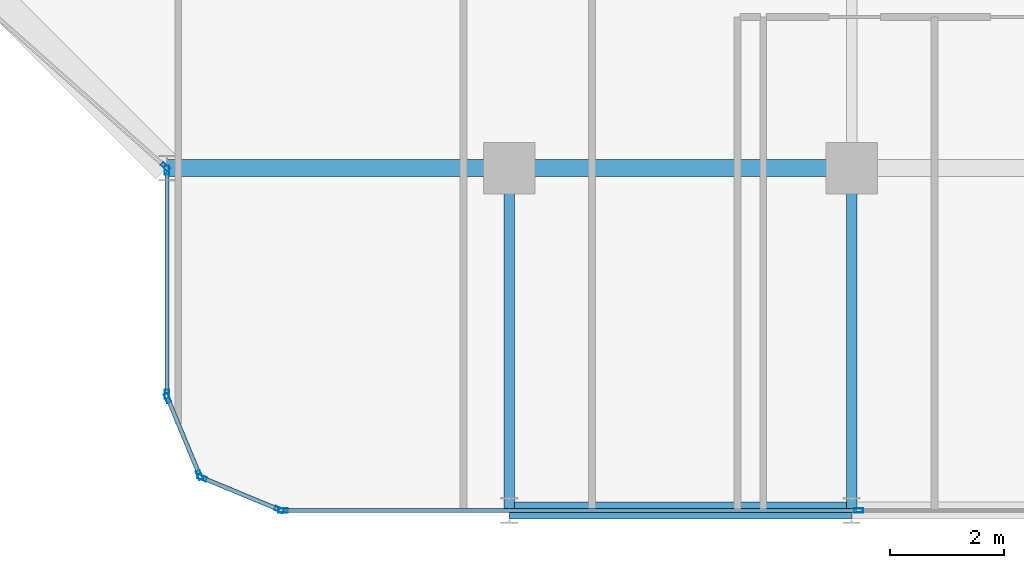
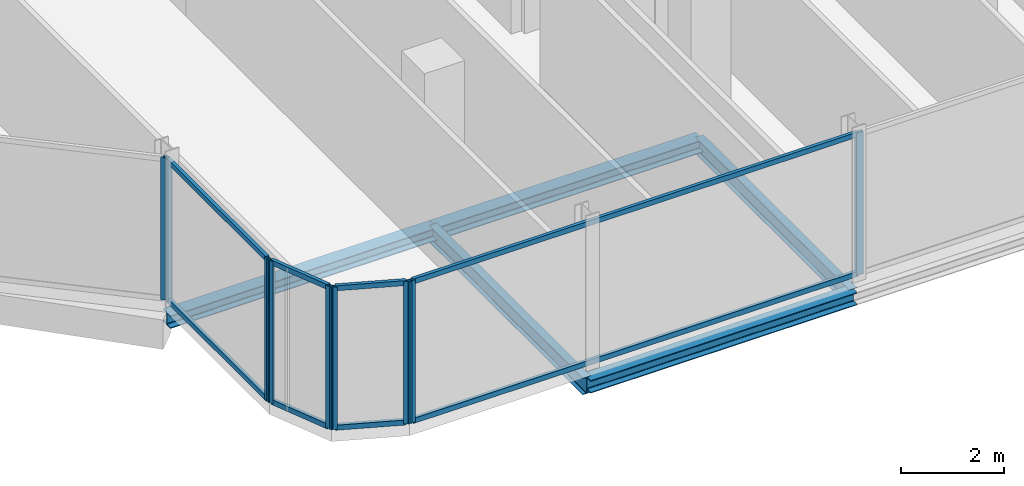
# One storey, part 6 of 29: 17 members, 5 beams, 5 elements without a shape of their own.
"""IFC4 building model written with IfcOpenShell, lengths in metres."""

from ifc_helpers import new_model, si_unit, direction, frame, origin, origin_2d, place, context, subcontext, project, spatial, hollow_rectangle, i_section, extrude, material, layer, layer_set, material_profile, profile_set, type_object, element, aggregate, save


model = new_model("IFC4")

# Units and contexts
model_context = context("Model", 3, precision=1e-05, world=origin(), true_north=direction((0.0, 1.0)))
body_context = subcontext(model_context, "Body", "Model", "MODEL_VIEW")
ifc_project = project(units=[si_unit("LENGTHUNIT", "METRE"), si_unit("AREAUNIT", "SQUARE_METRE"), si_unit("VOLUMEUNIT", "CUBIC_METRE"), si_unit("PLANEANGLEUNIT", "RADIAN"), si_unit("MASSUNIT", "GRAM", prefix="KILO")], contexts=[model_context])

# Site, building, storey
site_placement = place(None, origin())
site = spatial("IfcSite", under=ifc_project, at=site_placement, CompositionType="ELEMENT")
building_placement = place(site_placement, origin())
building = spatial("IfcBuilding", under=site, at=building_placement, Name="Keshet Zoharim Tower", CompositionType="ELEMENT")
storey_placement = place(building_placement, frame((0.0, 0.0, 192.10009765625)))
storey = spatial("IfcBuildingStorey", under=building, at=storey_placement, Name="L47", CompositionType="ELEMENT", Elevation=192.10009765625)

# Beams
ifc_material_1 = material(Name="Steel S355", Category="steel")
ifc_material_profile_1 = material_profile(ifc_material_1, i_section(OverallWidth=0.300048828125, OverallDepth=0.300048828125, WebThickness=0.010986328125, FlangeThickness=0.01904296875, FilletRadius=0.027099609375, at=origin_2d()), Name="HEB300")
ifc_profile_set_1 = profile_set([ifc_material_profile_1], Name="Steel S355")
beam_type_1 = type_object("IfcBeamType", Name="BM-PRI-HB300", PredefinedType="BEAM", material=ifc_profile_set_1)
for number, where, z_axis, x_axis, name in (
    (1, (27.0, 0.699951171875, -0.460205078125), (1.0, 0.0, 0.0), (0.0, 1.0, 0.0), "L47 Primary Girder X-001"),
    (2, (21.0, 6.699951171875, -0.460205078125), (1.0, 0.0, 0.0), (0.0, 1.0, 0.0), "L47 Primary Girder X-005"),
    (3, (27.0, 6.699951171875, -0.460205078125), (1.0, 0.0, 0.0), (0.0, 1.0, 0.0), "L47 Primary Girder X-006"),
):
    element("IfcBeam", number, at=place(storey_placement, frame(where, z_axis=z_axis, x_axis=x_axis)), inside=storey, type_object=beam_type_1, Name=name, PredefinedType="BEAM", context=body_context, shape_type="SweptSolid", body=[
        extrude(i_section(OverallWidth=0.300048828125, OverallDepth=0.300048828125, WebThickness=0.010986328125, FlangeThickness=0.01904296875, FilletRadius=0.027099609375, at=origin_2d()), origin(), (0.0, 0.0, 1.0), 6.0),
    ])
ifc_material_profile_2 = material_profile(ifc_material_1, i_section(OverallWidth=0.179931640625, OverallDepth=0.39990234375, WebThickness=0.008544921875, FlangeThickness=0.013427734375, FilletRadius=0.02099609375, at=origin_2d()), Name="IPE400")
ifc_profile_set_2 = profile_set([ifc_material_profile_2], Name="Steel S355")
beam_type_2 = type_object("IfcBeamType", Name="BM-PRI-IP400", PredefinedType="BEAM", material=ifc_profile_set_2)
for number, where, z_axis, x_axis, name in (
    (4, (27.0, 0.699951171875, -0.510009765625), (0.0, 1.0, 0.0), (-1.0, 0.0, 0.0), "L47 Primary Girder Y-004"),
    (5, (33.0, 0.699951171875, -0.510009765625), (0.0, 1.0, 0.0), (-1.0, 0.0, 0.0), "L47 Primary Girder Y-005"),
):
    element("IfcBeam", number, at=place(storey_placement, frame(where, z_axis=z_axis, x_axis=x_axis)), inside=storey, type_object=beam_type_2, Name=name, PredefinedType="BEAM", context=body_context, shape_type="SweptSolid", body=[
        extrude(i_section(OverallWidth=0.179931640625, OverallDepth=0.39990234375, WebThickness=0.008544921875, FlangeThickness=0.013427734375, FilletRadius=0.02099609375, at=origin_2d()), origin(), (0.0, 0.0, 1.0), 6.0),
    ])

# Curtain wall, members
ifc_material_2 = material(Name="Aluminium 6063-T6", Category="aluminium")
ifc_layer = layer(ifc_material_2, 0.139892578125)
ifc_layer_set = layer_set([ifc_layer], Name="Aluminium 6063-T6")
curtain_wall_type = type_object("IfcCurtainWallType", Name="CW-SYS-05", PredefinedType="NOTDEFINED", material=ifc_layer_set)
curtain_wall_1_placement = place(storey_placement, origin())
curtain_wall_1 = element("IfcCurtainWall", 6, at=curtain_wall_1_placement, inside=storey, type_object=curtain_wall_type, Name="L47 Unitised Curtain Wall 06 Part 3", PredefinedType="NOTDEFINED")
ifc_material_profile_3 = material_profile(ifc_material_2, hollow_rectangle(XDim=0.074951171875, YDim=0.159912109375, WallThickness=0.00390625, at=origin_2d()), Name="MUL-75x160")
ifc_profile_set_3 = profile_set([ifc_material_profile_3], Name="Aluminium 6063-T6")
member_type_1 = type_object("IfcMemberType", Name="CWM-M15", PredefinedType="MULLION", material=ifc_profile_set_3)
member_1_placement = place(storey_placement, frame((33.1259765625, 0.699951171875, 0.0), z_axis=(0.0, 0.0, 1.0), x_axis=(0.0, -1.0, 0.0)))
member_1 = element("IfcMember", 7, at=member_1_placement, type_object=member_type_1, Name="CW-05 mullion 2", PredefinedType="MULLION", context=body_context, shape_type="SweptSolid", body=[
    extrude(hollow_rectangle(XDim=0.074951171875, YDim=0.159912109375, WallThickness=0.00390625, at=origin_2d()), origin(), (0.0, 0.0, 1.0), 3.389892578125),
])
member_2_placement = place(storey_placement, frame((23.034912109375, 0.699951171875, 0.0), z_axis=(0.0, 0.0, 1.0), x_axis=(0.0, -1.0, 0.0)))
member_2 = element("IfcMember", 8, at=member_2_placement, type_object=member_type_1, Name="CW-05 mullion 3", PredefinedType="MULLION", context=body_context, shape_type="SweptSolid", body=[
    extrude(hollow_rectangle(XDim=0.074951171875, YDim=0.159912109375, WallThickness=0.00390625, at=origin_2d()), origin(), (0.0, 0.0, 1.0), 3.389892578125),
])

curtain_wall_2_placement = place(storey_placement, origin())
curtain_wall_2 = element("IfcCurtainWall", 9, at=curtain_wall_2_placement, inside=storey, type_object=curtain_wall_type, Name="L47 Unitised Curtain Wall 07", PredefinedType="NOTDEFINED")
member_3_placement = place(storey_placement, frame((22.9677734375, 0.71337890625, 0.0), z_axis=(0.0, 0.0, 1.0), x_axis=(-0.382851849847, -0.92380975372, 0.0)))
member_3 = element("IfcMember", 10, at=member_3_placement, type_object=member_type_1, Name="CW-05 mullion 1", PredefinedType="MULLION", context=body_context, shape_type="SweptSolid", body=[
    extrude(hollow_rectangle(XDim=0.074951171875, YDim=0.159912109375, WallThickness=0.00390625, at=origin_2d()), origin(), (0.0, 0.0, 1.0), 3.389892578125),
])
member_4_placement = place(storey_placement, frame((21.618408203125, 1.272705078125, 0.0), z_axis=(0.0, 0.0, 1.0), x_axis=(-0.382851849847, -0.92380975372, 0.0)))
member_4 = element("IfcMember", 11, at=member_4_placement, type_object=member_type_1, Name="CW-05 mullion 2", PredefinedType="MULLION", context=body_context, shape_type="SweptSolid", body=[
    extrude(hollow_rectangle(XDim=0.074951171875, YDim=0.159912109375, WallThickness=0.00390625, at=origin_2d()), origin(), (0.0, 0.0, 1.0), 3.389892578125),
])

curtain_wall_3_placement = place(storey_placement, origin())
curtain_wall_3 = element("IfcCurtainWall", 12, at=curtain_wall_3_placement, inside=storey, type_object=curtain_wall_type, Name="L47 Unitised Curtain Wall 08", PredefinedType="NOTDEFINED")
member_5_placement = place(storey_placement, frame((21.572509765625, 1.318359375, 0.0), z_axis=(0.0, 0.0, 1.0), x_axis=(-0.92380975372, -0.382851849847, 0.0)))
member_5 = element("IfcMember", 13, at=member_5_placement, type_object=member_type_1, Name="CW-05 mullion 1", PredefinedType="MULLION", context=body_context, shape_type="SweptSolid", body=[
    extrude(hollow_rectangle(XDim=0.074951171875, YDim=0.159912109375, WallThickness=0.00390625, at=origin_2d()), origin(), (0.0, 0.0, 1.0), 3.389892578125),
])
member_6_placement = place(storey_placement, frame((21.013427734375, 2.667724609375, 0.0), z_axis=(0.0, 0.0, 1.0), x_axis=(-0.92380975372, -0.382851849847, 0.0)))
member_6 = element("IfcMember", 14, at=member_6_placement, type_object=member_type_1, Name="CW-05 mullion 2", PredefinedType="MULLION", context=body_context, shape_type="SweptSolid", body=[
    extrude(hollow_rectangle(XDim=0.074951171875, YDim=0.159912109375, WallThickness=0.00390625, at=origin_2d()), origin(), (0.0, 0.0, 1.0), 3.389892578125),
])

curtain_wall_4_placement = place(storey_placement, origin())
curtain_wall_4 = element("IfcCurtainWall", 15, at=curtain_wall_4_placement, inside=storey, type_object=curtain_wall_type, Name="L47 Unitised Curtain Wall 09", PredefinedType="NOTDEFINED")
member_7_placement = place(storey_placement, frame((21.0, 2.735107421875, 0.0), z_axis=(0.0, 0.0, 1.0), x_axis=(-1.0, 0.0, 0.0)))
member_7 = element("IfcMember", 16, at=member_7_placement, type_object=member_type_1, Name="CW-05 mullion 1", PredefinedType="MULLION", context=body_context, shape_type="SweptSolid", body=[
    extrude(hollow_rectangle(XDim=0.074951171875, YDim=0.159912109375, WallThickness=0.00390625, at=origin_2d()), origin(), (0.0, 0.0, 1.0), 3.389892578125),
])
member_8_placement = place(storey_placement, frame((21.0, 6.6650390625, 0.0), z_axis=(0.0, 0.0, 1.0), x_axis=(-1.0, 0.0, 0.0)))
member_8 = element("IfcMember", 17, at=member_8_placement, type_object=member_type_1, Name="CW-05 mullion 2", PredefinedType="MULLION", context=body_context, shape_type="SweptSolid", body=[
    extrude(hollow_rectangle(XDim=0.074951171875, YDim=0.159912109375, WallThickness=0.00390625, at=origin_2d()), origin(), (0.0, 0.0, 1.0), 3.389892578125),
])

# Curtain wall, member
curtain_wall_5_placement = place(storey_placement, origin())
curtain_wall_5 = element("IfcCurtainWall", 18, at=curtain_wall_5_placement, inside=storey, type_object=curtain_wall_type, Name="L47 Unitised Curtain Wall 10", PredefinedType="NOTDEFINED")
member_9_placement = place(storey_placement, frame((20.973876953125, 6.72314453125, 0.0), z_axis=(0.0, 0.0, 1.0), x_axis=(-0.664367613066, -0.74740596379, 0.0)))
member_9 = element("IfcMember", 19, at=member_9_placement, type_object=member_type_1, Name="CW-05 mullion 1", PredefinedType="MULLION", context=body_context, shape_type="SweptSolid", body=[
    extrude(hollow_rectangle(XDim=0.074951171875, YDim=0.159912109375, WallThickness=0.00390625, at=origin_2d()), origin(), (0.0, 0.0, 1.0), 3.389892578125),
])
aggregate(curtain_wall_5, [member_9])

# Member
ifc_material_profile_4 = material_profile(ifc_material_2, hollow_rectangle(XDim=0.074951171875, YDim=0.1201171875, WallThickness=0.00390625, at=origin_2d()), Name="TRN-75x120")
ifc_profile_set_4 = profile_set([ifc_material_profile_4], Name="Aluminium 6063-T6")
member_type_2 = type_object("IfcMemberType", Name="CWT-T12", PredefinedType="USERDEFINED", material=ifc_profile_set_4)
member_10_placement = place(storey_placement, frame((33.091064453125, 0.699951171875, 0.034912109375), z_axis=(-1.0, 0.0, 0.0), x_axis=(0.0, -1.0, 0.0)))
member_10 = element("IfcMember", 20, at=member_10_placement, type_object=member_type_2, Name="CW-05 transom 2.1", ObjectType="TRANSOM", PredefinedType="USERDEFINED", context=body_context, shape_type="SweptSolid", body=[
    extrude(hollow_rectangle(XDim=0.074951171875, YDim=0.1201171875, WallThickness=0.00390625, at=origin_2d()), origin(), (0.0, 0.0, 1.0), 10.02099609375),
])

member_11_placement = place(storey_placement, frame((33.091064453125, 0.699951171875, 3.35498046875), z_axis=(-1.0, 0.0, 0.0), x_axis=(0.0, -1.0, 0.0)))
member_11 = element("IfcMember", 21, at=member_11_placement, type_object=member_type_2, Name="CW-05 transom 2.2", ObjectType="TRANSOM", PredefinedType="USERDEFINED", context=body_context, shape_type="SweptSolid", body=[
    extrude(hollow_rectangle(XDim=0.074951171875, YDim=0.1201171875, WallThickness=0.00390625, at=origin_2d()), origin(), (0.0, 0.0, 1.0), 10.02099609375),
])

aggregate(curtain_wall_1, [member_1, member_2, member_10, member_11])

member_12_placement = place(storey_placement, frame((22.935302734375, 0.726806640625, 0.034912109375), z_axis=(-0.92379209995, 0.382894445076, 0.0), x_axis=(-0.382894445076, -0.92379209995, 0.0)))
member_12 = element("IfcMember", 22, at=member_12_placement, type_object=member_type_2, Name="CW-05 transom 1.1", ObjectType="TRANSOM", PredefinedType="USERDEFINED", context=body_context, shape_type="SweptSolid", body=[
    extrude(hollow_rectangle(XDim=0.074951171875, YDim=0.1201171875, WallThickness=0.00390625, at=origin_2d()), origin(), (0.0, 0.0, 1.0), 1.390625),
])

member_13_placement = place(storey_placement, frame((22.935302734375, 0.726806640625, 3.35498046875), z_axis=(-0.92379209995, 0.382894445076, 0.0), x_axis=(-0.382894445076, -0.92379209995, 0.0)))
member_13 = element("IfcMember", 23, at=member_13_placement, type_object=member_type_2, Name="CW-05 transom 1.2", ObjectType="TRANSOM", PredefinedType="USERDEFINED", context=body_context, shape_type="SweptSolid", body=[
    extrude(hollow_rectangle(XDim=0.074951171875, YDim=0.1201171875, WallThickness=0.00390625, at=origin_2d()), origin(), (0.0, 0.0, 1.0), 1.390625),
])

aggregate(curtain_wall_2, [member_3, member_4, member_12, member_13])

member_14_placement = place(storey_placement, frame((21.55908203125, 1.3505859375, 0.034912109375), z_axis=(-0.382744609247, 0.923854189844, 0.0), x_axis=(-0.923854189844, -0.382744609247, 0.0)))
member_14 = element("IfcMember", 24, at=member_14_placement, type_object=member_type_2, Name="CW-05 transom 1.1", ObjectType="TRANSOM", PredefinedType="USERDEFINED", context=body_context, shape_type="SweptSolid", body=[
    extrude(hollow_rectangle(XDim=0.074951171875, YDim=0.1201171875, WallThickness=0.00390625, at=origin_2d()), origin(), (0.0, 0.0, 1.0), 1.390625),
])

member_15_placement = place(storey_placement, frame((21.55908203125, 1.3505859375, 3.35498046875), z_axis=(-0.382744609247, 0.923854189844, 0.0), x_axis=(-0.923854189844, -0.382744609247, 0.0)))
member_15 = element("IfcMember", 25, at=member_15_placement, type_object=member_type_2, Name="CW-05 transom 1.2", ObjectType="TRANSOM", PredefinedType="USERDEFINED", context=body_context, shape_type="SweptSolid", body=[
    extrude(hollow_rectangle(XDim=0.074951171875, YDim=0.1201171875, WallThickness=0.00390625, at=origin_2d()), origin(), (0.0, 0.0, 1.0), 1.390625),
])

aggregate(curtain_wall_3, [member_5, member_6, member_14, member_15])

member_16_placement = place(storey_placement, frame((21.0, 2.77001953125, 0.034912109375), z_axis=(0.0, 1.0, 0.0), x_axis=(-1.0, 0.0, 0.0)))
member_16 = element("IfcMember", 26, at=member_16_placement, type_object=member_type_2, Name="CW-05 transom 1.1", ObjectType="TRANSOM", PredefinedType="USERDEFINED", context=body_context, shape_type="SweptSolid", body=[
    extrude(hollow_rectangle(XDim=0.074951171875, YDim=0.1201171875, WallThickness=0.00390625, at=origin_2d()), origin(), (0.0, 0.0, 1.0), 3.85986328125),
])

member_17_placement = place(storey_placement, frame((21.0, 2.77001953125, 3.35498046875), z_axis=(0.0, 1.0, 0.0), x_axis=(-1.0, 0.0, 0.0)))
member_17 = element("IfcMember", 27, at=member_17_placement, type_object=member_type_2, Name="CW-05 transom 1.2", ObjectType="TRANSOM", PredefinedType="USERDEFINED", context=body_context, shape_type="SweptSolid", body=[
    extrude(hollow_rectangle(XDim=0.074951171875, YDim=0.1201171875, WallThickness=0.00390625, at=origin_2d()), origin(), (0.0, 0.0, 1.0), 3.85986328125),
])

aggregate(curtain_wall_4, [member_7, member_8, member_16, member_17])

save(model, "model.ifc")
